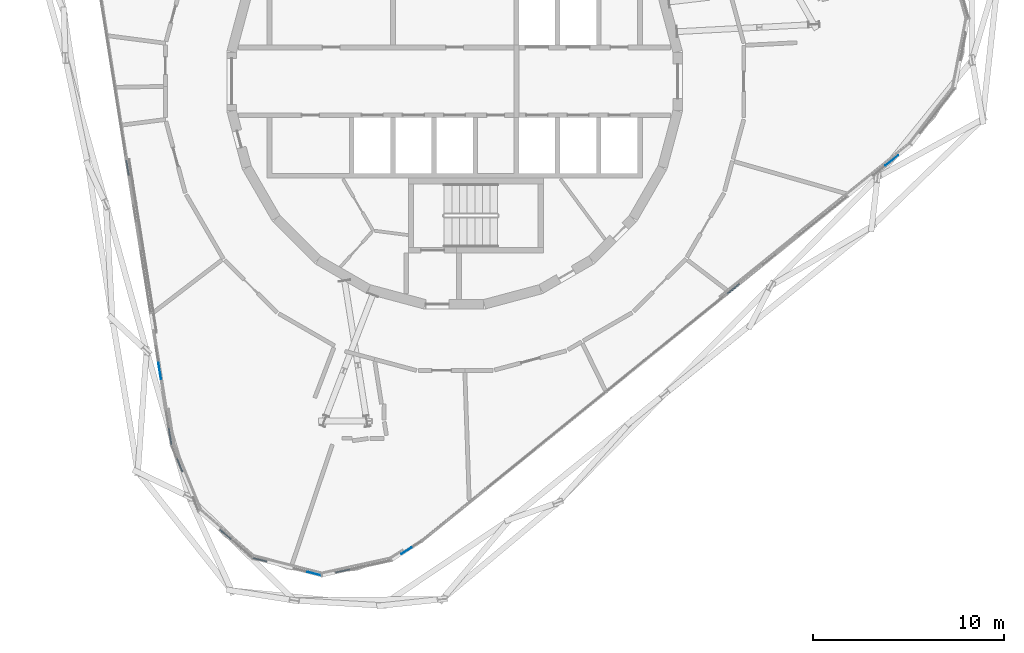
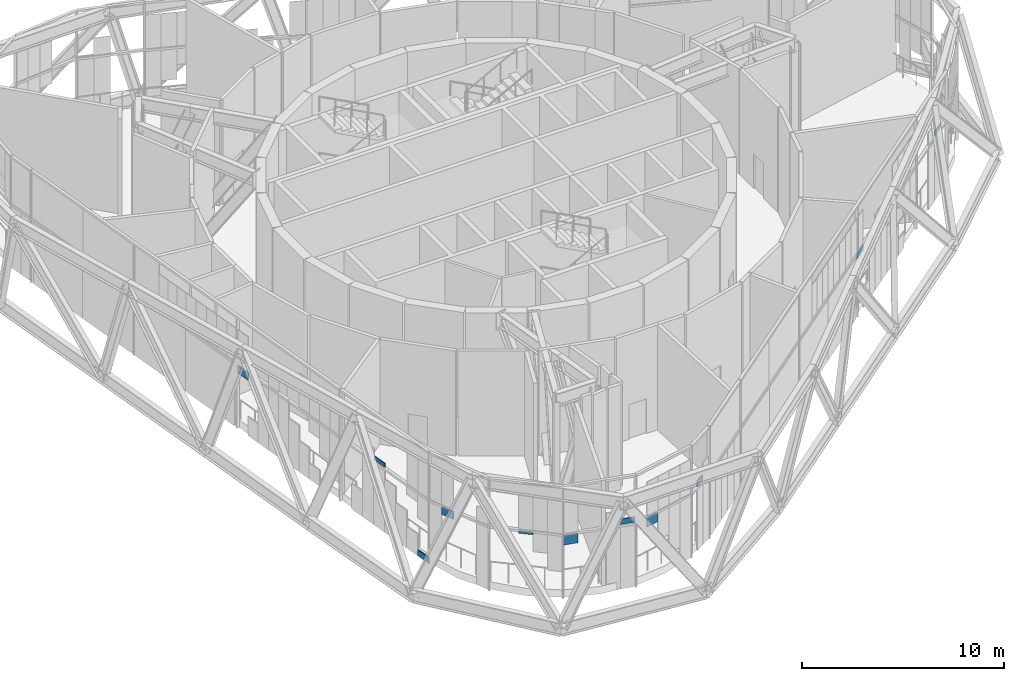
# One storey, part 17 of 25: 11 plates, 4 elements without a shape of their own.
"""IFC4 building model written with IfcOpenShell, lengths in metres."""

import ifcopenshell
import ifcopenshell.guid

model = None  # the IFC model being written
_history = None  # IfcOwnerHistory: only IFC2X3 demands one
_inside = {}  # id of a spatial element -> (the spatial element, [elements in it])
_under = {}  # id of a project, library or spatial element -> (it, [spatial elements below it])
_declared = {}  # id of a project -> (the project, [libraries it declares])
_typed = {}  # id of a type object -> (the type object, [elements of that type])
_made_of = {}  # id of a material, layer set ... -> (it, [elements and type objects made of it])


def new_model(schema):
    """Start an empty IFC model of exactly this schema.

    Asked for "IFC4X3", IfcOpenShell would pick the latest addendum, in which some entities
    have other attributes; the version numbers below select the first issue.
    IFC2X3 requires an IfcOwnerHistory on every rooted entity: one is made here for all.
    """
    global model, _history
    if schema == "IFC4X3":
        model = ifcopenshell.file(schema_version=(4, 3, 0, 0))
    else:
        model = ifcopenshell.file(schema=schema)
    _inside.clear()
    _under.clear()
    _declared.clear()
    _typed.clear()
    _made_of.clear()
    _history = None
    if model.schema == "IFC2X3":
        org = make("IfcOrganization", Name="unknown")
        user = make(
            "IfcPersonAndOrganization",
            ThePerson=make("IfcPerson", FamilyName="unknown"),
            TheOrganization=org,
        )
        app = make(
            "IfcApplication",
            ApplicationDeveloper=org,
            Version="unknown",
            ApplicationFullName="unknown",
            ApplicationIdentifier="unknown",
        )
        _history = make(
            "IfcOwnerHistory",
            OwningUser=user,
            OwningApplication=app,
            ChangeAction="ADDED",
            CreationDate=0,
        )
    return model


def make(cls, **values):
    """One entity of the class cls with the attributes given. An attribute that is None is left unset."""
    return model.create_entity(
        cls, **{name: value for name, value in values.items() if value is not None}
    )


def rooted(cls, **values):
    """An entity with a GlobalId (a new one), such as an element, a storey or a relation."""
    return make(cls, GlobalId=ifcopenshell.guid.new(), OwnerHistory=_history, **values)


def si_unit(unit_type, name, prefix=None):
    """IfcSIUnit, for example si_unit("LENGTHUNIT", "METRE", prefix="MILLI")."""
    return make("IfcSIUnit", UnitType=unit_type, Prefix=prefix, Name=name)


def assignment(units):
    """IfcUnitAssignment: the units of a project."""
    return None if units is None else make("IfcUnitAssignment", Units=units)


def point(xyz):
    """IfcCartesianPoint."""
    return None if xyz is None else make("IfcCartesianPoint", Coordinates=xyz)


def direction(xyz):
    """IfcDirection."""
    return None if xyz is None else make("IfcDirection", DirectionRatios=xyz)


def frame(location, z_axis=None, x_axis=None):
    """IfcAxis2Placement3D, a coordinate frame: its origin and axes. An axis left out is left unset."""
    return make(
        "IfcAxis2Placement3D",
        Location=point(location),
        Axis=direction(z_axis),
        RefDirection=direction(x_axis),
    )


def frame_2d(location, x_axis=None):
    """IfcAxis2Placement2D, a coordinate frame in the plane: its origin and x axis."""
    return make(
        "IfcAxis2Placement2D", Location=point(location), RefDirection=direction(x_axis)
    )


def origin():
    """The frame at (0, 0, 0) with its axes left unset."""
    return frame((0.0, 0.0, 0.0))


def origin_2d():
    """The frame at (0, 0) in the plane with its x axis left unset."""
    return frame_2d((0.0, 0.0))


def place(relative_to, where):
    """IfcLocalPlacement: puts the frame where relative to a parent placement (None: the world)."""
    return make(
        "IfcLocalPlacement", PlacementRelTo=relative_to, RelativePlacement=where
    )


def context(
    kind, dimensions, precision=None, world=None, true_north=None, identifier=None
):
    """IfcGeometricRepresentationContext, for example the 3D "Model" context."""
    return make(
        "IfcGeometricRepresentationContext",
        ContextIdentifier=identifier,
        ContextType=kind,
        CoordinateSpaceDimension=dimensions,
        Precision=precision,
        WorldCoordinateSystem=world,
        TrueNorth=true_north,
    )


def subcontext(parent, identifier, kind, view, scale=None):
    """IfcGeometricRepresentationSubContext, for example "Body" below "Model"."""
    return make(
        "IfcGeometricRepresentationSubContext",
        ContextIdentifier=identifier,
        ContextType=kind,
        ParentContext=parent,
        TargetScale=scale,
        TargetView=view,
    )


def project(units=None, contexts=None):
    """IfcProject with its units and contexts."""
    return rooted(
        "IfcProject",
        Name="project",
        RepresentationContexts=contexts,
        UnitsInContext=assignment(units),
    )


def spatial(cls, under=None, at=None, **own):
    """A site, building, storey or space (cls), placed at a placement, below another one or the project."""
    s = rooted(cls, ObjectPlacement=at, **own)
    if under is not None:
        _under.setdefault(under.id(), (under, []))[1].append(s)
    return s


def profile(cls, at=None, kind="AREA", **sizes):
    """A parametric profile (cls). Its sizes go by their IFC names, for example OverallWidth=200.0."""
    return make(cls, ProfileType=kind, Position=at, **sizes)


def rectangle(**sizes):
    """IfcRectangleProfileDef."""
    return profile("IfcRectangleProfileDef", **sizes)


def extrude(swept, where, along, depth):
    """IfcExtrudedAreaSolid: the profile swept, set in the frame where, extruded along a direction by depth."""
    return make(
        "IfcExtrudedAreaSolid",
        SweptArea=swept,
        Position=where,
        ExtrudedDirection=direction(along),
        Depth=depth,
    )


def shape(context_of_items, identifier, shape_type, items):
    """IfcShapeRepresentation: the items that make up one representation, for example the "Body"."""
    return make(
        "IfcShapeRepresentation",
        ContextOfItems=context_of_items,
        RepresentationIdentifier=identifier,
        RepresentationType=shape_type,
        Items=items,
    )


def material(Name=None, Category=None):
    """IfcMaterial."""
    return make("IfcMaterial", Name=Name, Category=Category)


def layer(
    of_material, thickness, ventilated=None, Name=None, Category=None, Priority=None
):
    """IfcMaterialLayer: one layer of a wall or slab, of a material (None: an air gap)."""
    return make(
        "IfcMaterialLayer",
        Material=of_material,
        LayerThickness=thickness,
        IsVentilated=ventilated,
        Name=Name,
        Category=Category,
        Priority=Priority,
    )


def layer_set(layers, Name=None):
    """IfcMaterialLayerSet."""
    return make("IfcMaterialLayerSet", MaterialLayers=layers, LayerSetName=Name)


def made_of(thing, what):
    """Note that an element or type object is made of a material, layer set ...; save() writes the relation."""
    if what is not None:
        _made_of.setdefault(what.id(), (what, []))[1].append(thing)
    return thing


def type_object(cls, material=None, **own):
    """A type object (cls), such as IfcWallType, which elements share."""
    return made_of(rooted(cls, **own), material)


def element(
    cls,
    number,
    at=None,
    inside=None,
    cuts=None,
    type_object=None,
    material=None,
    context=None,
    identifier="Body",
    shape_type=None,
    held_by="IfcProductDefinitionShape",
    body=None,
    shapes=None,
    **own,
):
    """One element of the class cls, such as IfcWall. Its Tag is "e" and its number.

    at: its placement. inside: the storey or other place that contains it. cuts: it is an
    opening in that element (IfcRelVoidsElement). A single representation is given by context,
    identifier, shape_type and body (its items); several are given by shapes. held_by: the class
    of the entity that holds the representations. save() writes the other relations.
    """
    e = rooted(cls, Tag="e%d" % number, ObjectPlacement=at, **own)
    if body is not None:
        shapes = [shape(context, identifier, shape_type, body)]
    if shapes is not None:
        e.Representation = make(held_by, Representations=shapes)
    if inside is not None:
        _inside.setdefault(inside.id(), (inside, []))[1].append(e)
    if cuts is not None:
        rooted(
            "IfcRelVoidsElement", RelatingBuildingElement=cuts, RelatedOpeningElement=e
        )
    if type_object is not None:
        _typed.setdefault(type_object.id(), (type_object, []))[1].append(e)
    return made_of(e, material)


def aggregate(whole, parts):
    """IfcRelAggregates: a whole, such as a stair, and the parts it consists of."""
    return rooted("IfcRelAggregates", RelatingObject=whole, RelatedObjects=parts)


def save(model, path):
    """Write the relations noted so far, then the file.

    IfcRelAggregates (storeys below a building ...), IfcRelContainedInSpatialStructure (elements
    in a storey), IfcRelDefinesByType, IfcRelAssociatesMaterial and IfcRelDeclares: one each for
    every whole, place, type object, material and project.
    """
    for whole, parts in _under.values():
        aggregate(whole, parts)
    for where, things in _inside.values():
        rooted(
            "IfcRelContainedInSpatialStructure",
            RelatedElements=things,
            RelatingStructure=where,
        )
    for kind, things in _typed.values():
        rooted("IfcRelDefinesByType", RelatedObjects=things, RelatingType=kind)
    for what, things in _made_of.values():
        rooted("IfcRelAssociatesMaterial", RelatedObjects=things, RelatingMaterial=what)
    for by, libraries in _declared.values():
        rooted("IfcRelDeclares", RelatingContext=by, RelatedDefinitions=libraries)
    model.write(path)


model = new_model("IFC4")

# Units and contexts
model_context = context("Model", 3, precision=1e-05, world=origin(), true_north=direction((0.0, 1.0)))
body_context = subcontext(model_context, "Body", "Model", "MODEL_VIEW")
ifc_project = project(units=[si_unit("LENGTHUNIT", "METRE"), si_unit("AREAUNIT", "SQUARE_METRE"), si_unit("VOLUMEUNIT", "CUBIC_METRE"), si_unit("PLANEANGLEUNIT", "RADIAN"), si_unit("MASSUNIT", "GRAM", prefix="KILO")], contexts=[model_context])

# Site, building, storey
site_placement = place(None, origin())
site = spatial("IfcSite", under=ifc_project, at=site_placement, CompositionType="ELEMENT")
building_placement = place(site_placement, origin())
building = spatial("IfcBuilding", under=site, at=building_placement, Name="Spindle Arch Residences", CompositionType="ELEMENT")
storey_placement = place(building_placement, frame((0.0, 0.0, 291.39990234375)))
storey = spatial("IfcBuildingStorey", under=building, at=storey_placement, Name="L75", CompositionType="ELEMENT", Elevation=291.39990234375)

# Curtain wall, plate
ifc_material_1 = material(Name="Aluminium bronze unitised frame with tinted glass", Category="aluminium")
ifc_layer_1 = layer(ifc_material_1, 0.159912109375)
ifc_layer_set_1 = layer_set([ifc_layer_1], Name="CW-E double-height winter garden wall")
curtain_wall_type = type_object("IfcCurtainWallType", Name="CW-E double-height winter garden wall", PredefinedType="NOTDEFINED", material=ifc_layer_set_1)
curtain_wall_1_placement = place(storey_placement, origin())
curtain_wall_1 = element("IfcCurtainWall", 1, at=curtain_wall_1_placement, inside=storey, type_object=curtain_wall_type, Name="CW-E L75 run 1", PredefinedType="NOTDEFINED")
ifc_material_2 = material(Name="Tinted laminated glass 28 mm", Category="glass")
ifc_layer_2 = layer(ifc_material_2, 0.028076171875)
ifc_layer_set_2 = layer_set([ifc_layer_2], Name="Tinted glass panel 28 mm")
plate_type_1 = type_object("IfcPlateType", Name="Tinted glass panel 28 mm", PredefinedType="CURTAIN_PANEL", material=ifc_layer_set_2)
plate_1_placement = place(storey_placement, frame((22.83544921875, -4.125, 3.4599609375), z_axis=(0.0, 0.0, 1.0), x_axis=(0.777145961457, 0.62932039105, 0.0)))
plate_1 = element("IfcPlate", 2, at=plate_1_placement, type_object=plate_type_1, Name="CW-E panel 00b.2", PredefinedType="CURTAIN_PANEL", context=body_context, shape_type="SweptSolid", body=[
    extrude(rectangle(XDim=0.845458984375, YDim=0.028076171875, at=origin_2d()), origin(), (0.0, 0.0, 1.0), 0.266357421875),
])
aggregate(curtain_wall_1, [plate_1])

# Curtain wall, plates
curtain_wall_2_placement = place(storey_placement, origin())
curtain_wall_2 = element("IfcCurtainWall", 3, at=curtain_wall_2_placement, inside=storey, type_object=curtain_wall_type, Name="CW-E L75 run 5", PredefinedType="NOTDEFINED")
plate_2_placement = place(storey_placement, frame((-15.401611328125, -15.115966796875, 3.460205078125), z_axis=(0.0, 0.0, 1.0), x_axis=(0.15643446504, -0.987688340595, 0.0)))
plate_2 = element("IfcPlate", 4, at=plate_2_placement, type_object=plate_type_1, Name="CW-E panel 00b.2", PredefinedType="CURTAIN_PANEL", context=body_context, shape_type="SweptSolid", body=[
    extrude(rectangle(XDim=0.8662109375, YDim=0.028076171875, at=origin_2d()), origin(), (0.0, 0.0, 1.0), 0.26123046875),
])
plate_3_placement = place(storey_placement, frame((-7.331787109375, -25.712158203125, 3.460205078125), z_axis=(0.0, 0.0, 1.0), x_axis=(0.968871869392, -0.247562720743, 0.0)))
plate_3 = element("IfcPlate", 5, at=plate_3_placement, type_object=plate_type_1, Name="CW-E panel 03b.3", PredefinedType="CURTAIN_PANEL", context=body_context, shape_type="SweptSolid", body=[
    extrude(rectangle(XDim=0.7333984375, YDim=0.028076171875, at=origin_2d()), origin(), (0.0, 0.0, 1.0), 0.328125),
])
plate_4_placement = place(storey_placement, frame((-2.51416015625, -24.5126953125, 3.4599609375), z_axis=(0.0, 0.0, 1.0), x_axis=(0.844950816658, 0.53484401224, 0.0)))
plate_4 = element("IfcPlate", 6, at=plate_4_placement, type_object=plate_type_1, Name="CW-E panel 05b.1", PredefinedType="CURTAIN_PANEL", context=body_context, shape_type="SweptSolid", body=[
    extrude(rectangle(XDim=0.60546875, YDim=0.028076171875, at=origin_2d()), origin(), (0.0, 0.0, 1.0), 0.3544921875),
])

# Curtain wall, plate
curtain_wall_3_placement = place(storey_placement, origin())
curtain_wall_3 = element("IfcCurtainWall", 7, at=curtain_wall_3_placement, inside=storey, type_object=curtain_wall_type, Name="CW-E L75 run 4", PredefinedType="NOTDEFINED")
ifc_material_3 = material(Name="Tinted double glazing over aluminium faced non-combustible spandrel zone (K0)", Category="aluminium")
ifc_layer_3 = layer(ifc_material_3, 0.06005859375)
ifc_layer_set_3 = layer_set([ifc_layer_3], Name="Unitised glass panel with E 60 spandrel zone")
plate_type_2 = type_object("IfcPlateType", Name="Unitised glass panel with E 60 spandrel zone", PredefinedType="CURTAIN_PANEL", material=ifc_layer_set_3)
plate_5_placement = place(storey_placement, frame((-17.081298828125, -4.51123046875, 2.888671875), z_axis=(0.0, 0.0, 1.0), x_axis=(0.15643446504, -0.987688340595, 0.0)))
plate_5 = element("IfcPlate", 8, at=plate_5_placement, type_object=plate_type_2, Name="CW-E panel 13Aa.1", PredefinedType="CURTAIN_PANEL", context=body_context, shape_type="SweptSolid", body=[
    extrude(rectangle(XDim=0.8046875, YDim=0.06005859375, at=origin_2d()), origin(), (0.0, 0.0, 1.0), 0.451416015625),
])
aggregate(curtain_wall_3, [plate_5])

# Plate
plate_6_placement = place(storey_placement, frame((-14.859619140625, -18.538330078125, -0.44970703125), z_axis=(0.0, 0.0, 1.0), x_axis=(0.15643446504, -0.987688340595, 0.0)))
plate_6 = element("IfcPlate", 9, at=plate_6_placement, type_object=plate_type_2, Name="CW-E panel 00a.8", PredefinedType="CURTAIN_PANEL", context=body_context, shape_type="SweptSolid", body=[
    extrude(rectangle(XDim=0.8662109375, YDim=0.06005859375, at=origin_2d()), origin(), (0.0, 0.0, 1.0), 0.362060546875),
])

plate_7_placement = place(storey_placement, frame((-14.357666015625, -20.041015625, 2.88330078125), z_axis=(0.0, 0.0, 1.0), x_axis=(0.379994360085, -0.92498880334, 0.0)))
plate_7 = element("IfcPlate", 10, at=plate_7_placement, type_object=plate_type_2, Name="CW-E panel 01a.2", PredefinedType="CURTAIN_PANEL", context=body_context, shape_type="SweptSolid", body=[
    extrude(rectangle(XDim=0.7333984375, YDim=0.06005859375, at=origin_2d()), origin(), (0.0, 0.0, 1.0), 0.456787109375),
])

plate_8_placement = place(storey_placement, frame((-11.964599609375, -23.665283203125, 3.206298828125), z_axis=(0.0, 0.0, 1.0), x_axis=(0.754709583074, -0.656059025711, 0.0)))
plate_8 = element("IfcPlate", 11, at=plate_8_placement, type_object=plate_type_2, Name="CW-E panel 02a.1", PredefinedType="CURTAIN_PANEL", context=body_context, shape_type="SweptSolid", body=[
    extrude(rectangle(XDim=0.7333984375, YDim=0.06005859375, at=origin_2d()), origin(), (0.0, 0.0, 1.0), 0.1337890625),
])

plate_9_placement = place(storey_placement, frame((-10.174072265625, -24.986083984375, 2.780029296875), z_axis=(0.0, 0.0, 1.0), x_axis=(0.968871869392, -0.247562720743, 0.0)))
plate_9 = element("IfcPlate", 12, at=plate_9_placement, type_object=plate_type_2, Name="CW-E panel 03a.1", PredefinedType="CURTAIN_PANEL", context=body_context, shape_type="SweptSolid", body=[
    extrude(rectangle(XDim=0.7333984375, YDim=0.06005859375, at=origin_2d()), origin(), (0.0, 0.0, 1.0), 0.56005859375),
])

plate_10_placement = place(storey_placement, frame((-5.843505859375, -25.569091796875, 2.79931640625), z_axis=(0.0, 0.0, 1.0), x_axis=(0.976921473489, 0.213598770213, 0.0)))
plate_10 = element("IfcPlate", 13, at=plate_10_placement, type_object=plate_type_2, Name="CW-E panel 04a.1", PredefinedType="CURTAIN_PANEL", context=body_context, shape_type="SweptSolid", body=[
    extrude(rectangle(XDim=0.7333984375, YDim=0.06005859375, at=origin_2d()), origin(), (0.0, 0.0, 1.0), 0.540771484375),
])

aggregate(curtain_wall_2, [plate_6, plate_2, plate_7, plate_8, plate_9, plate_3, plate_10, plate_4])

# Curtain wall, plate
curtain_wall_4_placement = place(storey_placement, origin())
curtain_wall_4 = element("IfcCurtainWall", 14, at=curtain_wall_4_placement, inside=storey, type_object=curtain_wall_type, Name="CW-E L75 run 6", PredefinedType="NOTDEFINED")
plate_11_placement = place(storey_placement, frame((14.547607421875, -10.83642578125, 3.020263671875), z_axis=(0.0, 0.0, 1.0), x_axis=(0.777145961457, 0.62932039105, 0.0)))
plate_11 = element("IfcPlate", 15, at=plate_11_placement, type_object=plate_type_2, Name="CW-E panel 00Aa.1", PredefinedType="CURTAIN_PANEL", context=body_context, shape_type="SweptSolid", body=[
    extrude(rectangle(XDim=0.8046875, YDim=0.06005859375, at=origin_2d()), origin(), (0.0, 0.0, 1.0), 0.31982421875),
])
aggregate(curtain_wall_4, [plate_11])

save(model, "model.ifc")
